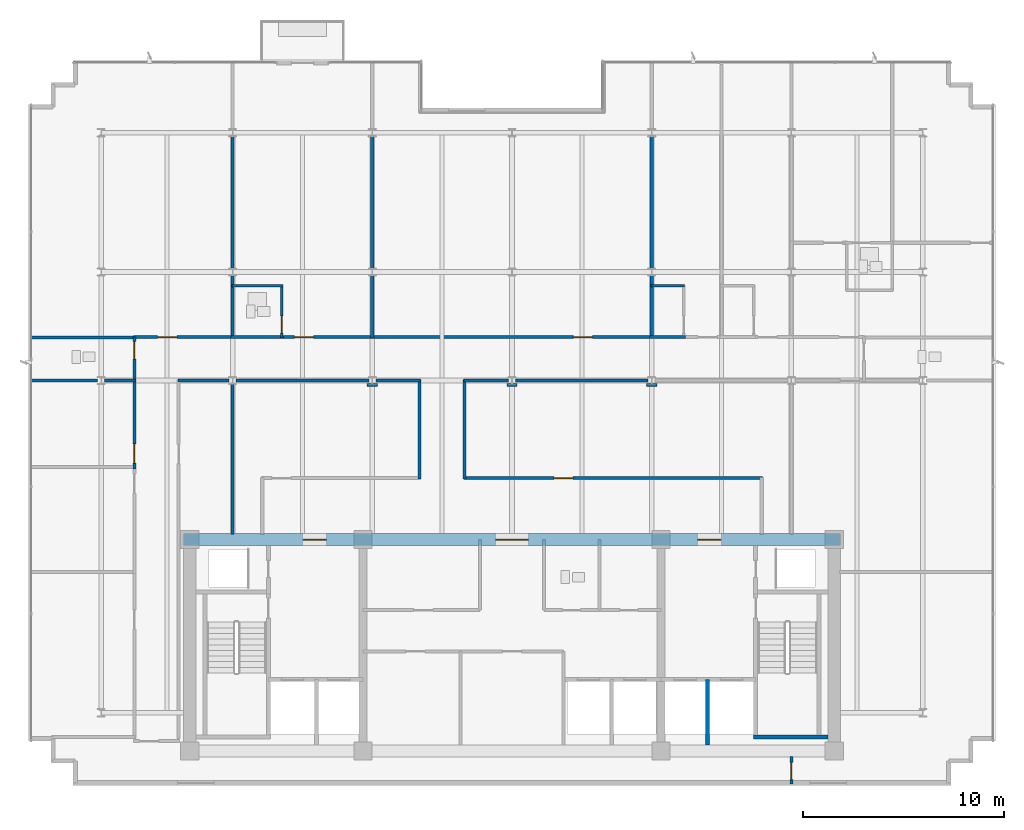
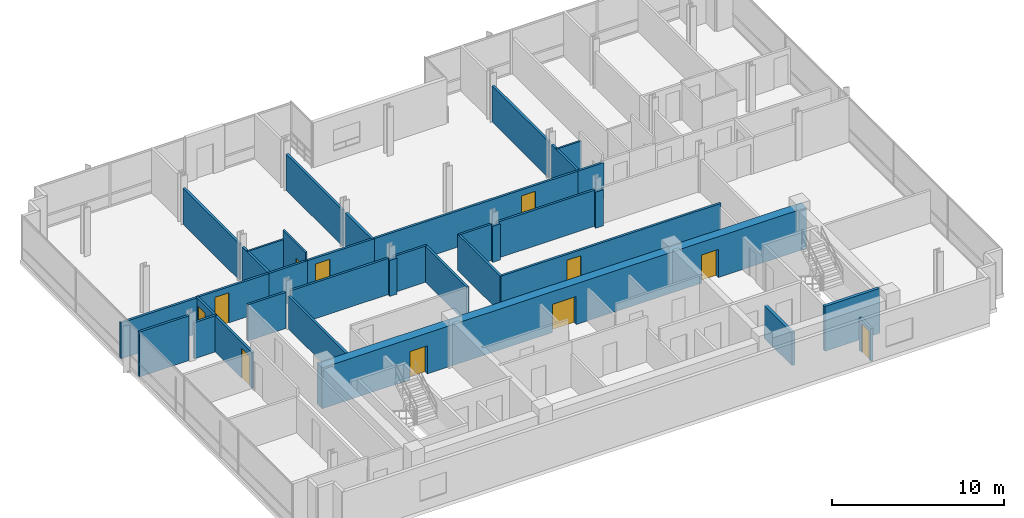
# One storey, part 12 of 17: 35 walls, 11 doors, 11 openings.
"""IFC4 building model written with IfcOpenShell, lengths in metres."""

from ifc_helpers import new_model, si_unit, direction, frame, frame_2d, origin, place, context, subcontext, project, spatial, rectangle, extrude, material, layer, layer_set, type_object, element, fill, save


model = new_model("IFC4")

# Units and contexts
model_context = context("Model", 3, precision=1e-05, world=origin(), true_north=direction((0.0, 1.0)))
body_context = subcontext(model_context, "Body", "Model", "MODEL_VIEW")
ifc_project = project(units=[si_unit("LENGTHUNIT", "METRE"), si_unit("AREAUNIT", "SQUARE_METRE"), si_unit("VOLUMEUNIT", "CUBIC_METRE"), si_unit("PLANEANGLEUNIT", "RADIAN"), si_unit("MASSUNIT", "GRAM", prefix="KILO")], contexts=[model_context])

# Site, building, storey
site_placement = place(None, origin())
site = spatial("IfcSite", under=ifc_project, at=site_placement, CompositionType="ELEMENT")
building_placement = place(site_placement, origin())
building = spatial("IfcBuilding", under=site, at=building_placement, Name="Solmavex Isthmus Hotel", CompositionType="ELEMENT")
storey_placement = place(building_placement, frame((0.0, 0.0, 266.10009765625)))
storey = spatial("IfcBuildingStorey", under=building, at=storey_placement, Name="L72", CompositionType="ELEMENT", Elevation=266.10009765625)

# Walls
ifc_material_1 = material(Name="Gypsum plasterboard lining", Category="gypsum")
ifc_layer_1 = layer(ifc_material_1, 0.159912109375)
ifc_layer_set_1 = layer_set([ifc_layer_1], Name="Gypsum plasterboard lining")
wall_type_1 = type_object("IfcWallType", Name="IW-COMP-160", PredefinedType="PARTITIONING", material=ifc_layer_set_1)
wall_1_placement = place(storey_placement, frame((-13.8720703125, 10.613037109375, 0.0), z_axis=(0.0, 0.0, 1.0), x_axis=(0.0, -1.0, 0.0)))
element("IfcWall", 1, at=wall_1_placement, inside=storey, type_object=wall_type_1, Name="Interior Partition Wall W-L72-P033", PredefinedType="PARTITIONING", context=body_context, shape_type="SweptSolid", body=[
    extrude(rectangle(XDim=3.10302734375, YDim=0.159912109375, at=frame_2d((1.551513671875, 0.0))), origin(), (0.0, 0.0, 1.0), 2.572265625),
])
wall_2_placement = place(storey_placement, frame((-13.8720703125, 17.52490234375, 0.0), z_axis=(0.0, 0.0, 1.0), x_axis=(0.0, -1.0, 0.0)))
element("IfcWall", 2, at=wall_2_placement, inside=storey, type_object=wall_type_1, Name="Interior Partition Wall W-L72-P034", PredefinedType="PARTITIONING", context=body_context, shape_type="SweptSolid", body=[
    extrude(rectangle(XDim=6.56201171875, YDim=0.159912109375, at=frame_2d((3.281005859375, 0.0))), origin(), (0.0, 0.0, 1.0), 2.572265625),
])
wall_3_placement = place(storey_placement, frame((-18.7099609375, 7.530029296875, 0.0), z_axis=(0.0, 0.0, 1.0), x_axis=(-1.0, 0.0, 0.0)))
element("IfcWall", 3, at=wall_3_placement, inside=storey, type_object=wall_type_1, Name="Interior Partition Wall W-L72-P036", PredefinedType="PARTITIONING", context=body_context, shape_type="SweptSolid", body=[
    extrude(rectangle(XDim=5.2099609375, YDim=0.159912109375, at=frame_2d((2.60498046875, 0.0))), origin(), (0.0, 0.0, 1.0), 2.557373046875),
])
wall_4_placement = place(storey_placement, frame((-6.93603515625, 10.613037109375, 0.0), z_axis=(0.0, 0.0, 1.0), x_axis=(0.0, -1.0, 0.0)))
element("IfcWall", 4, at=wall_4_placement, inside=storey, type_object=wall_type_1, Name="Interior Partition Wall W-L72-P039", PredefinedType="PARTITIONING", context=body_context, shape_type="SweptSolid", body=[
    extrude(rectangle(XDim=3.10302734375, YDim=0.159912109375, at=frame_2d((1.551513671875, 0.0))), origin(), (0.0, 0.0, 1.0), 2.572265625),
])
wall_5_placement = place(storey_placement, frame((-6.93603515625, 17.52490234375, 0.0), z_axis=(0.0, 0.0, 1.0), x_axis=(0.0, -1.0, 0.0)))
element("IfcWall", 5, at=wall_5_placement, inside=storey, type_object=wall_type_1, Name="Interior Partition Wall W-L72-P040", PredefinedType="PARTITIONING", context=body_context, shape_type="SweptSolid", body=[
    extrude(rectangle(XDim=6.56201171875, YDim=0.159912109375, at=frame_2d((3.281005859375, 0.0))), origin(), (0.0, 0.0, 1.0), 2.572265625),
])
wall_6_placement = place(storey_placement, frame((6.93603515625, 10.613037109375, 0.0), z_axis=(0.0, 0.0, 1.0), x_axis=(0.0, -1.0, 0.0)))
element("IfcWall", 6, at=wall_6_placement, inside=storey, type_object=wall_type_1, Name="Interior Partition Wall W-L72-P042", PredefinedType="PARTITIONING", context=body_context, shape_type="SweptSolid", body=[
    extrude(rectangle(XDim=3.10302734375, YDim=0.159912109375, at=frame_2d((1.551513671875, 0.0))), origin(), (0.0, 0.0, 1.0), 2.572265625),
])
wall_7_placement = place(storey_placement, frame((6.93603515625, 17.52490234375, 0.0), z_axis=(0.0, 0.0, 1.0), x_axis=(0.0, -1.0, 0.0)))
element("IfcWall", 7, at=wall_7_placement, inside=storey, type_object=wall_type_1, Name="Interior Partition Wall W-L72-P043", PredefinedType="PARTITIONING", context=body_context, shape_type="SweptSolid", body=[
    extrude(rectangle(XDim=6.56201171875, YDim=0.159912109375, at=frame_2d((3.281005859375, 0.0))), origin(), (0.0, 0.0, 1.0), 2.572265625),
])
wall_8_placement = place(storey_placement, frame((-20.574951171875, 5.39990234375, 0.0), z_axis=(0.0, 0.0, 1.0), x_axis=(-1.0, 0.0, 0.0)))
element("IfcWall", 8, at=wall_8_placement, inside=storey, type_object=wall_type_1, Name="Interior Partition Wall W-L72-P063", PredefinedType="PARTITIONING", context=body_context, shape_type="SweptSolid", body=[
    extrude(rectangle(XDim=3.344970703125, YDim=0.159912109375, at=frame_2d((1.67236328125, 0.0))), origin(), (0.0, 0.0, 1.0), 3.18994140625),
])
wall_9_placement = place(storey_placement, frame((-18.7099609375, 5.39990234375, 0.0), z_axis=(0.0, 0.0, 1.0), x_axis=(-1.0, 0.0, 0.0)))
element("IfcWall", 9, at=wall_9_placement, inside=storey, type_object=wall_type_1, Name="Interior Partition Wall W-L72-P064", PredefinedType="PARTITIONING", context=body_context, shape_type="SweptSolid", body=[
    extrude(rectangle(XDim=1.51513671875, YDim=0.159912109375, at=frame_2d((0.757568359375, 0.0))), origin(), (0.0, 0.0, 1.0), 2.572265625),
])
wall_10_placement = place(storey_placement, frame((-13.8720703125, 5.22509765625, 0.0), z_axis=(0.0, 0.0, 1.0), x_axis=(0.0, -1.0, 0.0)))
element("IfcWall", 10, at=wall_10_placement, inside=storey, type_object=wall_type_1, Name="Interior Partition Wall W-L72-P068", PredefinedType="PARTITIONING", context=body_context, shape_type="SweptSolid", body=[
    extrude(rectangle(XDim=7.465087890625, YDim=0.159912109375, at=frame_2d((3.732421875, 0.0))), origin(), (0.0, 0.0, 1.0), 2.324951171875),
])

# Wall, opening, door
wall_11_placement = place(storey_placement, frame((13.8720703125, -13.260009765625, 0.0), z_axis=(0.0, 0.0, 1.0), x_axis=(0.0, -1.0, 0.0)))
wall_11 = element("IfcWall", 11, at=wall_11_placement, inside=storey, type_object=wall_type_1, Name="Interior Partition Wall W-L72-P071", PredefinedType="PARTITIONING", context=body_context, shape_type="SweptSolid", body=[
    extrude(rectangle(XDim=1.360107421875, YDim=0.159912109375, at=frame_2d((0.68017578125, 0.0))), origin(), (0.0, 0.0, 1.0), 2.324951171875),
])
opening_1_placement = place(wall_11_placement, frame((0.300048828125, 0.0, 0.0)))
opening_1 = element("IfcOpeningElement", 12, at=opening_1_placement, cuts=wall_11, Name="Opening ID-R085", PredefinedType="OPENING", context=body_context, shape_type="SweptSolid", body=[
    extrude(rectangle(XDim=0.85009765625, YDim=2.050048828125, at=frame_2d((0.425048828125, 1.02490234375))), frame((0.0, 0.08984375, 0.0), z_axis=(0.0, -1.0, 0.0), x_axis=(1.0, 0.0, 0.0)), (0.0, 0.0, 1.0), 0.179931640625),
])
ifc_material_2 = material(Name="Steel ASTM A500 Grade C", Category="steel")
door_type_1 = type_object("IfcDoorType", Name="IDR-FD60-0850", OperationType="NOTDEFINED", PredefinedType="DOOR", material=ifc_material_2)
door_1_placement = place(opening_1_placement, frame((0.85009765625, 0.0, 0.0), z_axis=(0.0, 0.0, 1.0), x_axis=(-1.0, 0.0, 0.0)))
door_1 = element("IfcDoor", 13, at=door_1_placement, inside=storey, type_object=door_type_1, Name="Corporate Briefing Office Door L72-21", OperationType="SINGLE_SWING_LEFT", OverallHeight=2.050048828125, OverallWidth=0.85009765625, PredefinedType="DOOR", context=body_context, shape_type="SweptSolid", body=[
    extrude(rectangle(XDim=0.85009765625, YDim=2.050048828125, at=frame_2d((0.425048828125, 1.02490234375))), frame((0.0, 0.02490234375, 0.0), z_axis=(0.0, -1.0, 0.0), x_axis=(1.0, 0.0, 0.0)), (0.0, 0.0, 1.0), 0.050048828125),
])
fill(opening_1, door_1)

ifc_layer_2 = layer(ifc_material_1, 0.14990234375)
ifc_layer_set_2 = layer_set([ifc_layer_2], Name="Gypsum plasterboard lining")
wall_type_2 = type_object("IfcWallType", Name="IW-CORR-150", PredefinedType="PARTITIONING", material=ifc_layer_set_2)
wall_12_placement = place(storey_placement, frame((-18.7900390625, 7.550048828125, 0.0), z_axis=(0.0, 0.0, 1.0), x_axis=(1.0, 0.0, 0.0)))
wall_12 = element("IfcWall", 14, at=wall_12_placement, inside=storey, type_object=wall_type_2, Name="Interior Partition Wall W-L72-P001", PredefinedType="PARTITIONING", context=body_context, shape_type="SweptSolid", body=[
    extrude(rectangle(XDim=5.0, YDim=0.14990234375, at=frame_2d((2.5, 0.0))), origin(), (0.0, 0.0, 1.0), 2.572265625),
])
opening_2_placement = place(wall_12_placement, frame((1.198486328125, 0.0, 0.0)))
opening_2 = element("IfcOpeningElement", 15, at=opening_2_placement, cuts=wall_12, Name="Opening ID-C095", PredefinedType="OPENING", context=body_context, shape_type="SweptSolid", body=[
    extrude(rectangle(XDim=0.949951171875, YDim=2.14990234375, at=frame_2d((0.47509765625, 1.074951171875))), frame((0.0, 0.0849609375, 0.0), z_axis=(0.0, -1.0, 0.0), x_axis=(1.0, 0.0, 0.0)), (0.0, 0.0, 1.0), 0.169921875),
])
ifc_material_3 = material(Name="Hardwood timber", Category="wood")
door_type_2 = type_object("IfcDoorType", Name="IDR-FD60-0950", OperationType="NOTDEFINED", PredefinedType="DOOR", material=ifc_material_3)
door_2_placement = place(opening_2_placement, origin())
door_2 = element("IfcDoor", 16, at=door_2_placement, inside=storey, type_object=door_type_2, Name="Executive Hospitality Lounge Door L72-01", OperationType="SINGLE_SWING_LEFT", OverallHeight=2.14990234375, OverallWidth=0.949951171875, PredefinedType="DOOR", context=body_context, shape_type="SweptSolid", body=[
    extrude(rectangle(XDim=0.949951171875, YDim=2.14990234375, at=frame_2d((0.47509765625, 1.074951171875))), frame((0.0, 0.02490234375, 0.0), z_axis=(0.0, -1.0, 0.0), x_axis=(1.0, 0.0, 0.0)), (0.0, 0.0, 1.0), 0.050048828125),
])
fill(opening_2, door_2)

wall_13_placement = place(storey_placement, frame((-11.50390625, 7.550048828125, 0.0), z_axis=(0.0, 0.0, 1.0), x_axis=(1.0, 0.0, 0.0)))
wall_13 = element("IfcWall", 17, at=wall_13_placement, inside=storey, type_object=wall_type_2, Name="Interior Partition Wall W-L72-P002", PredefinedType="PARTITIONING", context=body_context, shape_type="SweptSolid", body=[
    extrude(rectangle(XDim=4.64990234375, YDim=0.14990234375, at=frame_2d((2.324951171875, 0.0))), origin(), (0.0, 0.0, 1.0), 2.572265625),
])
opening_3_placement = place(wall_13_placement, frame((0.698486328125, 0.0, 0.0)))
opening_3 = element("IfcOpeningElement", 18, at=opening_3_placement, cuts=wall_13, Name="Opening ID-C095", PredefinedType="OPENING", context=body_context, shape_type="SweptSolid", body=[
    extrude(rectangle(XDim=0.949951171875, YDim=2.14990234375, at=frame_2d((0.47509765625, 1.074951171875))), frame((0.0, 0.0849609375, 0.0), z_axis=(0.0, -1.0, 0.0), x_axis=(1.0, 0.0, 0.0)), (0.0, 0.0, 1.0), 0.169921875),
])
door_3_placement = place(opening_3_placement, origin())
door_3 = element("IfcDoor", 19, at=door_3_placement, inside=storey, type_object=door_type_2, Name="Crown Overlook Suite Door L72-02", OperationType="SINGLE_SWING_RIGHT", OverallHeight=2.14990234375, OverallWidth=0.949951171875, PredefinedType="DOOR", context=body_context, shape_type="SweptSolid", body=[
    extrude(rectangle(XDim=0.949951171875, YDim=2.14990234375, at=frame_2d((0.47509765625, 1.074951171875))), frame((0.0, 0.02490234375, 0.0), z_axis=(0.0, -1.0, 0.0), x_axis=(1.0, 0.0, 0.0)), (0.0, 0.0, 1.0), 0.050048828125),
])
fill(opening_3, door_3)

# Wall
wall_14_placement = place(storey_placement, frame((-13.9541015625, 7.550048828125, 0.0), z_axis=(0.0, 0.0, 1.0), x_axis=(1.0, 0.0, 0.0)))
element("IfcWall", 20, at=wall_14_placement, inside=storey, type_object=wall_type_2, Name="Interior Partition Wall W-L72-P003", PredefinedType="PARTITIONING", context=body_context, shape_type="SweptSolid", body=[
    extrude(rectangle(XDim=2.614013671875, YDim=0.14990234375, at=frame_2d((1.30712890625, 0.0))), origin(), (0.0, 0.0, 1.0), 2.572265625),
])

# Wall, opening, door
wall_15_placement = place(storey_placement, frame((-7.01806640625, 7.550048828125, 0.0), z_axis=(0.0, 0.0, 1.0), x_axis=(1.0, 0.0, 0.0)))
wall_15 = element("IfcWall", 21, at=wall_15_placement, inside=storey, type_object=wall_type_2, Name="Interior Partition Wall W-L72-P004", PredefinedType="PARTITIONING", context=body_context, shape_type="SweptSolid", body=[
    extrude(rectangle(XDim=14.0361328125, YDim=0.14990234375, at=frame_2d((7.01806640625, 0.0))), origin(), (0.0, 0.0, 1.0), 2.572265625),
])
opening_4_placement = place(wall_15_placement, frame((10.059814453125, 0.0, 0.0)))
opening_4 = element("IfcOpeningElement", 22, at=opening_4_placement, cuts=wall_15, Name="Opening ID-C095", PredefinedType="OPENING", context=body_context, shape_type="SweptSolid", body=[
    extrude(rectangle(XDim=0.949951171875, YDim=2.14990234375, at=frame_2d((0.47509765625, 1.074951171875))), frame((0.0, 0.0849609375, 0.0), z_axis=(0.0, -1.0, 0.0), x_axis=(1.0, 0.0, 0.0)), (0.0, 0.0, 1.0), 0.169921875),
])
door_4_placement = place(opening_4_placement, origin())
door_4 = element("IfcDoor", 23, at=door_4_placement, inside=storey, type_object=door_type_2, Name="Corporate Briefing Office Door L72-04", OperationType="SINGLE_SWING_RIGHT", OverallHeight=2.14990234375, OverallWidth=0.949951171875, PredefinedType="DOOR", context=body_context, shape_type="SweptSolid", body=[
    extrude(rectangle(XDim=0.949951171875, YDim=2.14990234375, at=frame_2d((0.47509765625, 1.074951171875))), frame((0.0, 0.02490234375, 0.0), z_axis=(0.0, -1.0, 0.0), x_axis=(1.0, 0.0, 0.0)), (0.0, 0.0, 1.0), 0.050048828125),
])
fill(opening_4, door_4)

# Wall
wall_16_placement = place(storey_placement, frame((6.85400390625, 7.550048828125, 0.0), z_axis=(0.0, 0.0, 1.0), x_axis=(1.0, 0.0, 0.0)))
element("IfcWall", 24, at=wall_16_placement, inside=storey, type_object=wall_type_2, Name="Interior Partition Wall W-L72-P006", PredefinedType="PARTITIONING", context=body_context, shape_type="SweptSolid", body=[
    extrude(rectangle(XDim=1.75927734375, YDim=0.14990234375, at=frame_2d((0.879638671875, 0.0))), origin(), (0.0, 0.0, 1.0), 2.572265625),
])

# Wall, opening, door
wall_17_placement = place(storey_placement, frame((-18.75, 5.318115234375, 0.0), z_axis=(0.0, 0.0, 1.0), x_axis=(0.0, 1.0, 0.0)))
wall_17 = element("IfcWall", 25, at=wall_17_placement, inside=storey, type_object=wall_type_2, Name="Interior Partition Wall W-L72-P010", PredefinedType="PARTITIONING", context=body_context, shape_type="SweptSolid", body=[
    extrude(rectangle(XDim=2.251953125, YDim=0.14990234375, at=frame_2d((1.1259765625, 0.0))), origin(), (0.0, 0.0, 1.0), 2.572265625),
])
opening_5_placement = place(wall_17_placement, frame((1.156982421875, 0.0, 0.0)))
opening_5 = element("IfcOpeningElement", 26, at=opening_5_placement, cuts=wall_17, Name="Opening ID-R085", PredefinedType="OPENING", context=body_context, shape_type="SweptSolid", body=[
    extrude(rectangle(XDim=0.85009765625, YDim=2.050048828125, at=frame_2d((0.425048828125, 1.02490234375))), frame((0.0, 0.0849609375, 0.0), z_axis=(0.0, -1.0, 0.0), x_axis=(1.0, 0.0, 0.0)), (0.0, 0.0, 1.0), 0.169921875),
])
door_5_placement = place(opening_5_placement, frame((0.85009765625, 0.0, 0.0), z_axis=(0.0, 0.0, 1.0), x_axis=(-1.0, 0.0, 0.0)))
door_5 = element("IfcDoor", 27, at=door_5_placement, inside=storey, type_object=door_type_1, Name="Accessible Public Restroom WC Door L72-13", OperationType="SINGLE_SWING_LEFT", OverallHeight=2.050048828125, OverallWidth=0.85009765625, PredefinedType="DOOR", context=body_context, shape_type="SweptSolid", body=[
    extrude(rectangle(XDim=0.85009765625, YDim=2.050048828125, at=frame_2d((0.425048828125, 1.02490234375))), frame((0.0, 0.02490234375, 0.0), z_axis=(0.0, -1.0, 0.0), x_axis=(1.0, 0.0, 0.0)), (0.0, 0.0, 1.0), 0.050048828125),
])
fill(opening_5, door_5)

wall_18_placement = place(storey_placement, frame((-18.75, 1.01806640625, 0.0), z_axis=(0.0, 0.0, 1.0), x_axis=(0.0, 1.0, 0.0)))
wall_18 = element("IfcWall", 28, at=wall_18_placement, inside=storey, type_object=wall_type_2, Name="Interior Partition Wall W-L72-P012", PredefinedType="PARTITIONING", context=body_context, shape_type="SweptSolid", body=[
    extrude(rectangle(XDim=4.4638671875, YDim=0.14990234375, at=frame_2d((2.23193359375, 0.0))), origin(), (0.0, 0.0, 1.0), 2.572265625),
])
opening_6_placement = place(wall_18_placement, frame((0.283935546875, 0.0, 0.0)))
opening_6 = element("IfcOpeningElement", 29, at=opening_6_placement, cuts=wall_18, Name="Opening ID-C095", PredefinedType="OPENING", context=body_context, shape_type="SweptSolid", body=[
    extrude(rectangle(XDim=0.949951171875, YDim=2.14990234375, at=frame_2d((0.47509765625, 1.074951171875))), frame((0.0, 0.0849609375, 0.0), z_axis=(0.0, -1.0, 0.0), x_axis=(1.0, 0.0, 0.0)), (0.0, 0.0, 1.0), 0.169921875),
])
door_6_placement = place(opening_6_placement, frame((0.949951171875, 0.0, 0.0), z_axis=(0.0, 0.0, 1.0), x_axis=(-1.0, 0.0, 0.0)))
door_6 = element("IfcDoor", 30, at=door_6_placement, inside=storey, type_object=door_type_2, Name="Reading Library Door L72-15", OperationType="SINGLE_SWING_LEFT", OverallHeight=2.14990234375, OverallWidth=0.949951171875, PredefinedType="DOOR", context=body_context, shape_type="SweptSolid", body=[
    extrude(rectangle(XDim=0.949951171875, YDim=2.14990234375, at=frame_2d((0.47509765625, 1.074951171875))), frame((0.0, 0.02490234375, 0.0), z_axis=(0.0, -1.0, 0.0), x_axis=(1.0, 0.0, 0.0)), (0.0, 0.0, 1.0), 0.050048828125),
])
fill(opening_6, door_6)

# Walls
wall_19_placement = place(storey_placement, frame((-14.047119140625, 5.39990234375, 0.0), z_axis=(0.0, 0.0, 1.0), x_axis=(-1.0, 0.0, 0.0)))
element("IfcWall", 31, at=wall_19_placement, inside=storey, type_object=wall_type_2, Name="Interior Partition Wall W-L72-P013", PredefinedType="PARTITIONING", context=body_context, shape_type="SweptSolid", body=[
    extrude(rectangle(XDim=2.54296875, YDim=0.14990234375, at=frame_2d((1.271484375, 0.0))), origin(), (0.0, 0.0, 1.0), 2.572265625),
])
wall_20_placement = place(storey_placement, frame((-4.587890625, 0.510009765625, 0.0), z_axis=(0.0, 0.0, 1.0), x_axis=(0.0, 1.0, 0.0)))
element("IfcWall", 32, at=wall_20_placement, inside=storey, type_object=wall_type_2, Name="Interior Partition Wall W-L72-P019", PredefinedType="PARTITIONING", context=body_context, shape_type="SweptSolid", body=[
    extrude(rectangle(XDim=4.929931640625, YDim=0.14990234375, at=frame_2d((2.46484375, 0.0))), origin(), (0.0, 0.0, 1.0), 2.572265625),
])
wall_21_placement = place(storey_placement, frame((-4.548095703125, 5.39990234375, 0.0), z_axis=(0.0, 0.0, 1.0), x_axis=(-1.0, 0.0, 0.0)))
element("IfcWall", 33, at=wall_21_placement, inside=storey, type_object=wall_type_2, Name="Interior Partition Wall W-L72-P020", PredefinedType="PARTITIONING", context=body_context, shape_type="SweptSolid", body=[
    extrude(rectangle(XDim=2.212890625, YDim=0.14990234375, at=frame_2d((1.1064453125, 0.0))), origin(), (0.0, 0.0, 1.0), 2.572265625),
])
wall_22_placement = place(storey_placement, frame((-6.680908203125, 5.18505859375, 0.0), z_axis=(0.0, 0.0, 1.0), x_axis=(-1.0, 0.0, 0.0)))
element("IfcWall", 34, at=wall_22_placement, inside=storey, type_object=wall_type_2, Name="Interior Partition Wall W-L72-P021", PredefinedType="PARTITIONING", context=body_context, shape_type="SweptSolid", body=[
    extrude(rectangle(XDim=0.510009765625, YDim=0.14990234375, at=frame_2d((0.2548828125, 0.0))), origin(), (0.0, 0.0, 1.0), 2.572265625),
])
wall_23_placement = place(storey_placement, frame((-7.111083984375, 5.39990234375, 0.0), z_axis=(0.0, 0.0, 1.0), x_axis=(-1.0, 0.0, 0.0)))
element("IfcWall", 35, at=wall_23_placement, inside=storey, type_object=wall_type_2, Name="Interior Partition Wall W-L72-P022", PredefinedType="PARTITIONING", context=body_context, shape_type="SweptSolid", body=[
    extrude(rectangle(XDim=6.5859375, YDim=0.14990234375, at=frame_2d((3.29296875, 0.0))), origin(), (0.0, 0.0, 1.0), 2.572265625),
])
wall_24_placement = place(storey_placement, frame((7.19091796875, 5.18505859375, 0.0), z_axis=(0.0, 0.0, 1.0), x_axis=(-1.0, 0.0, 0.0)))
element("IfcWall", 36, at=wall_24_placement, inside=storey, type_object=wall_type_2, Name="Interior Partition Wall W-L72-P025", PredefinedType="PARTITIONING", context=body_context, shape_type="SweptSolid", body=[
    extrude(rectangle(XDim=0.510009765625, YDim=0.14990234375, at=frame_2d((0.2548828125, 0.0))), origin(), (0.0, 0.0, 1.0), 2.572265625),
])
wall_25_placement = place(storey_placement, frame((6.760986328125, 5.39990234375, 0.0), z_axis=(0.0, 0.0, 1.0), x_axis=(-1.0, 0.0, 0.0)))
element("IfcWall", 37, at=wall_25_placement, inside=storey, type_object=wall_type_2, Name="Interior Partition Wall W-L72-P026", PredefinedType="PARTITIONING", context=body_context, shape_type="SweptSolid", body=[
    extrude(rectangle(XDim=6.5859375, YDim=0.14990234375, at=frame_2d((3.29296875, 0.0))), origin(), (0.0, 0.0, 1.0), 2.572265625),
])
wall_26_placement = place(storey_placement, frame((0.2548828125, 5.18505859375, 0.0), z_axis=(0.0, 0.0, 1.0), x_axis=(-1.0, 0.0, 0.0)))
element("IfcWall", 38, at=wall_26_placement, inside=storey, type_object=wall_type_2, Name="Interior Partition Wall W-L72-P027", PredefinedType="PARTITIONING", context=body_context, shape_type="SweptSolid", body=[
    extrude(rectangle(XDim=0.509765625, YDim=0.14990234375, at=frame_2d((0.2548828125, 0.0))), origin(), (0.0, 0.0, 1.0), 2.572265625),
])
wall_27_placement = place(storey_placement, frame((-0.175048828125, 5.39990234375, 0.0), z_axis=(0.0, 0.0, 1.0), x_axis=(-1.0, 0.0, 0.0)))
element("IfcWall", 39, at=wall_27_placement, inside=storey, type_object=wall_type_2, Name="Interior Partition Wall W-L72-P028", PredefinedType="PARTITIONING", context=body_context, shape_type="SweptSolid", body=[
    extrude(rectangle(XDim=2.212890625, YDim=0.14990234375, at=frame_2d((1.1064453125, 0.0))), origin(), (0.0, 0.0, 1.0), 2.572265625),
])
wall_28_placement = place(storey_placement, frame((-2.347900390625, 5.43994140625, 0.0), z_axis=(0.0, 0.0, 1.0), x_axis=(0.0, -1.0, 0.0)))
element("IfcWall", 40, at=wall_28_placement, inside=storey, type_object=wall_type_2, Name="Interior Partition Wall W-L72-P029", PredefinedType="PARTITIONING", context=body_context, shape_type="SweptSolid", body=[
    extrude(rectangle(XDim=4.929931640625, YDim=0.14990234375, at=frame_2d((2.46484375, 0.0))), origin(), (0.0, 0.0, 1.0), 2.572265625),
])

# Wall, opening, door
wall_29_placement = place(storey_placement, frame((-2.387939453125, 0.550048828125, 0.0), z_axis=(0.0, 0.0, 1.0), x_axis=(1.0, 0.0, 0.0)))
wall_29 = element("IfcWall", 41, at=wall_29_placement, inside=storey, type_object=wall_type_2, Name="Interior Partition Wall W-L72-P030", PredefinedType="PARTITIONING", context=body_context, shape_type="SweptSolid", body=[
    extrude(rectangle(XDim=14.827880859375, YDim=0.14990234375, at=frame_2d((7.4140625, 0.0))), origin(), (0.0, 0.0, 1.0), 2.572265625),
])
opening_7_placement = place(wall_29_placement, frame((4.461181640625, 0.0, 0.0)))
opening_7 = element("IfcOpeningElement", 42, at=opening_7_placement, cuts=wall_29, Name="Opening ID-C095", PredefinedType="OPENING", context=body_context, shape_type="SweptSolid", body=[
    extrude(rectangle(XDim=0.949951171875, YDim=2.14990234375, at=frame_2d((0.47509765625, 1.074951171875))), frame((0.0, 0.0849609375, 0.0), z_axis=(0.0, -1.0, 0.0), x_axis=(1.0, 0.0, 0.0)), (0.0, 0.0, 1.0), 0.169921875),
])
door_7_placement = place(opening_7_placement, frame((0.949951171875, 0.0, 0.0), z_axis=(0.0, 0.0, 1.0), x_axis=(-1.0, 0.0, 0.0)))
door_7 = element("IfcDoor", 43, at=door_7_placement, inside=storey, type_object=door_type_2, Name="Reading Library Door L72-22", OperationType="SINGLE_SWING_RIGHT", OverallHeight=2.14990234375, OverallWidth=0.949951171875, PredefinedType="DOOR", context=body_context, shape_type="SweptSolid", body=[
    extrude(rectangle(XDim=0.949951171875, YDim=2.14990234375, at=frame_2d((0.47509765625, 1.074951171875))), frame((0.0, 0.02490234375, 0.0), z_axis=(0.0, -1.0, 0.0), x_axis=(1.0, 0.0, 0.0)), (0.0, 0.0, 1.0), 0.050048828125),
])
fill(opening_7, door_7)

ifc_layer_3 = layer(ifc_material_1, 0.1201171875)
ifc_layer_set_3 = layer_set([ifc_layer_3], Name="Gypsum plasterboard lining")
wall_type_3 = type_object("IfcWallType", Name="IW-PART-120", PredefinedType="PARTITIONING", material=ifc_layer_set_3)
wall_30_placement = place(storey_placement, frame((-11.422119140625, 7.510009765625, 0.0), z_axis=(0.0, 0.0, 1.0), x_axis=(0.0, 1.0, 0.0)))
wall_30 = element("IfcWall", 44, at=wall_30_placement, inside=storey, type_object=wall_type_3, Name="Interior Partition Wall W-L72-P037", PredefinedType="PARTITIONING", context=body_context, shape_type="SweptSolid", body=[
    extrude(rectangle(XDim=2.6298828125, YDim=0.1201171875, at=frame_2d((1.31494140625, 0.0))), origin(), (0.0, 0.0, 1.0), 3.18994140625),
])
opening_8_placement = place(wall_30_placement, frame((0.247314453125, 0.0, 0.0)))
opening_8 = element("IfcOpeningElement", 45, at=opening_8_placement, cuts=wall_30, Name="Opening ID-U085", PredefinedType="OPENING", context=body_context, shape_type="SweptSolid", body=[
    extrude(rectangle(XDim=0.85009765625, YDim=2.10009765625, at=frame_2d((0.425048828125, 1.050048828125))), frame((0.0, 0.070068359375, 0.0), z_axis=(0.0, -1.0, 0.0), x_axis=(1.0, 0.0, 0.0)), (0.0, 0.0, 1.0), 0.14013671875),
])
door_type_3 = type_object("IfcDoorType", Name="IDR-UNR-0850", OperationType="NOTDEFINED", PredefinedType="DOOR", material=ifc_material_3)
door_8_placement = place(opening_8_placement, frame((0.85009765625, 0.0, 0.0), z_axis=(0.0, 0.0, 1.0), x_axis=(-1.0, 0.0, 0.0)))
door_8 = element("IfcDoor", 46, at=door_8_placement, inside=storey, type_object=door_type_3, Name="En-suite Bathroom Door L72-03", OperationType="SINGLE_SWING_LEFT", OverallHeight=2.10009765625, OverallWidth=0.85009765625, PredefinedType="DOOR", context=body_context, shape_type="SweptSolid", body=[
    extrude(rectangle(XDim=0.85009765625, YDim=2.10009765625, at=frame_2d((0.425048828125, 1.050048828125))), frame((0.0, 0.02490234375, 0.0), z_axis=(0.0, -1.0, 0.0), x_axis=(1.0, 0.0, 0.0)), (0.0, 0.0, 1.0), 0.050048828125),
])
fill(opening_8, door_8)

# Walls
wall_31_placement = place(storey_placement, frame((-11.382080078125, 10.10009765625, 0.0), z_axis=(0.0, 0.0, 1.0), x_axis=(-1.0, 0.0, 0.0)))
element("IfcWall", 47, at=wall_31_placement, inside=storey, type_object=wall_type_3, Name="Interior Partition Wall W-L72-P038", PredefinedType="PARTITIONING", context=body_context, shape_type="SweptSolid", body=[
    extrude(rectangle(XDim=2.530029296875, YDim=0.1201171875, at=frame_2d((1.26513671875, 0.0))), origin(), (0.0, 0.0, 1.0), 2.572265625),
])
wall_32_placement = place(storey_placement, frame((8.5712890625, 10.10009765625, 0.0), z_axis=(0.0, 0.0, 1.0), x_axis=(-1.0, 0.0, 0.0)))
element("IfcWall", 48, at=wall_32_placement, inside=storey, type_object=wall_type_3, Name="Interior Partition Wall W-L72-P046", PredefinedType="PARTITIONING", context=body_context, shape_type="SweptSolid", body=[
    extrude(rectangle(XDim=1.67529296875, YDim=0.1201171875, at=frame_2d((0.837646484375, 0.0))), origin(), (0.0, 0.0, 1.0), 2.572265625),
])
ifc_material_4 = material(Name="Concrete C40/50", Category="concrete")
ifc_layer_4 = layer(ifc_material_4, 0.199951171875)
ifc_layer_set_4 = layer_set([ifc_layer_4], Name="Concrete C40/50")
wall_type_4 = type_object("IfcWallType", Name="IW-SHAFT-200", PredefinedType="PARTITIONING", material=ifc_layer_set_4)
wall_33_placement = place(storey_placement, frame((9.699951171875, -12.699951171875, 0.0), z_axis=(0.0, 0.0, 1.0), x_axis=(0.0, 1.0, 0.0)))
element("IfcWall", 49, at=wall_33_placement, inside=storey, type_object=wall_type_4, Name="Interior Partition Wall W-L72-FFLE-M", PredefinedType="PARTITIONING", context=body_context, shape_type="SweptSolid", body=[
    extrude(rectangle(XDim=3.25, YDim=0.199951171875, at=frame_2d((1.625, 0.0))), origin(), (0.0, 0.0, 1.0), 2.324951171875),
])

# Wall, openings, doors
ifc_material_5 = material(Name="Concrete C50/60", Category="concrete")
ifc_layer_5 = layer(ifc_material_5, 0.60009765625)
ifc_layer_set_5 = layer_set([ifc_layer_5], Name="Concrete C50/60")
wall_type_5 = type_object("IfcWallType", Name="WALL-CW-600", PredefinedType="SHEAR", material=ifc_layer_set_5)
wall_34_placement = place(storey_placement, frame((-16.300048828125, -2.5, 0.0), z_axis=(0.0, 0.0, 1.0), x_axis=(1.0, 0.0, 0.0)))
wall_34 = element("IfcWall", 50, at=wall_34_placement, inside=storey, type_object=wall_type_5, Name="Core Shear Wall North L72", PredefinedType="SHEAR", context=body_context, shape_type="SweptSolid", body=[
    extrude(rectangle(XDim=32.60009765625, YDim=0.60009765625, at=frame_2d((16.300048828125, 0.0))), origin(), (0.0, 0.0, 1.0), 2.909912109375),
])
opening_9_placement = place(wall_34_placement, frame((5.925048828125, 0.0, 0.0)))
opening_9 = element("IfcOpeningElement", 51, at=opening_9_placement, cuts=wall_34, Name="Opening ID-F915", PredefinedType="OPENING", context=body_context, shape_type="SweptSolid", body=[
    extrude(rectangle(XDim=1.14990234375, YDim=2.0, at=frame_2d((0.574951171875, 1.0))), frame((0.0, 0.31005859375, 0.0), z_axis=(0.0, -1.0, 0.0), x_axis=(1.0, 0.0, 0.0)), (0.0, 0.0, 1.0), 0.6201171875),
])
opening_10_placement = place(wall_34_placement, frame((15.5, 0.0, 0.0)))
opening_10 = element("IfcOpeningElement", 52, at=opening_10_placement, cuts=wall_34, Name="Opening ID-F960", PredefinedType="OPENING", context=body_context, shape_type="SweptSolid", body=[
    extrude(rectangle(XDim=1.60009765625, YDim=2.0, at=frame_2d((0.800048828125, 1.0))), frame((0.0, 0.31005859375, 0.0), z_axis=(0.0, -1.0, 0.0), x_axis=(1.0, 0.0, 0.0)), (0.0, 0.0, 1.0), 0.6201171875),
])
opening_11_placement = place(wall_34_placement, frame((25.52490234375, 0.0, 0.0)))
opening_11 = element("IfcOpeningElement", 53, at=opening_11_placement, cuts=wall_34, Name="Opening ID-F915", PredefinedType="OPENING", context=body_context, shape_type="SweptSolid", body=[
    extrude(rectangle(XDim=1.14990234375, YDim=2.0, at=frame_2d((0.574951171875, 1.0))), frame((0.0, 0.31005859375, 0.0), z_axis=(0.0, -1.0, 0.0), x_axis=(1.0, 0.0, 0.0)), (0.0, 0.0, 1.0), 0.6201171875),
])
door_type_4 = type_object("IfcDoorType", Name="IDR-FD90-1150C", OperationType="NOTDEFINED", PredefinedType="DOOR", material=ifc_material_2)
door_9_placement = place(opening_9_placement, origin())
door_9 = element("IfcDoor", 54, at=door_9_placement, inside=storey, type_object=door_type_4, Name="Firefighting Lobby West Exit Door L72", OperationType="SINGLE_SWING_LEFT", OverallHeight=2.0, OverallWidth=1.14990234375, PredefinedType="DOOR", context=body_context, shape_type="SweptSolid", body=[
    extrude(rectangle(XDim=1.14990234375, YDim=2.0, at=frame_2d((0.574951171875, 1.0))), frame((0.0, 0.02490234375, 0.0), z_axis=(0.0, -1.0, 0.0), x_axis=(1.0, 0.0, 0.0)), (0.0, 0.0, 1.0), 0.050048828125),
])
fill(opening_9, door_9)
door_10_placement = place(opening_11_placement, origin())
door_10 = element("IfcDoor", 55, at=door_10_placement, inside=storey, type_object=door_type_4, Name="Firefighting Lobby East Exit Door L72", OperationType="SINGLE_SWING_RIGHT", OverallHeight=2.0, OverallWidth=1.14990234375, PredefinedType="DOOR", context=body_context, shape_type="SweptSolid", body=[
    extrude(rectangle(XDim=1.14990234375, YDim=2.0, at=frame_2d((0.574951171875, 1.0))), frame((0.0, 0.02490234375, 0.0), z_axis=(0.0, -1.0, 0.0), x_axis=(1.0, 0.0, 0.0)), (0.0, 0.0, 1.0), 0.050048828125),
])
fill(opening_11, door_10)
door_type_5 = type_object("IfcDoorType", Name="IDR-FD90-1600C", OperationType="NOTDEFINED", PredefinedType="DOOR", material=ifc_material_2)
door_11_placement = place(opening_10_placement, origin())
door_11 = element("IfcDoor", 56, at=door_11_placement, inside=storey, type_object=door_type_5, Name="Central Lift Lobby Door L72", OperationType="DOUBLE_DOOR_SINGLE_SWING", OverallHeight=2.0, OverallWidth=1.60009765625, PredefinedType="DOOR", context=body_context, shape_type="SweptSolid", body=[
    extrude(rectangle(XDim=1.60009765625, YDim=2.0, at=frame_2d((0.800048828125, 1.0))), frame((0.0, 0.02490234375, 0.0), z_axis=(0.0, -1.0, 0.0), x_axis=(1.0, 0.0, 0.0)), (0.0, 0.0, 1.0), 0.050048828125),
])
fill(opening_10, door_11)

# Wall
ifc_layer_6 = layer(ifc_material_4, 0.199951171875)
ifc_layer_set_6 = layer_set([ifc_layer_6], Name="Concrete C40/50")
wall_type_6 = type_object("IfcWallType", Name="WALL-SW-200", PredefinedType="SOLIDWALL", material=ifc_layer_set_6)
wall_35_placement = place(storey_placement, frame((12.0, -12.300048828125, 0.0), z_axis=(0.0, 0.0, 1.0), x_axis=(1.0, 0.0, 0.0)))
element("IfcWall", 57, at=wall_35_placement, inside=storey, type_object=wall_type_6, Name="Stairwell Structural Wall SW-L72-ST2-S", PredefinedType="SOLIDWALL", context=body_context, shape_type="SweptSolid", body=[
    extrude(rectangle(XDim=3.699951171875, YDim=0.199951171875, at=frame_2d((1.85009765625, 0.0))), origin(), (0.0, 0.0, 1.0), 3.18994140625),
])

save(model, "model.ifc")
